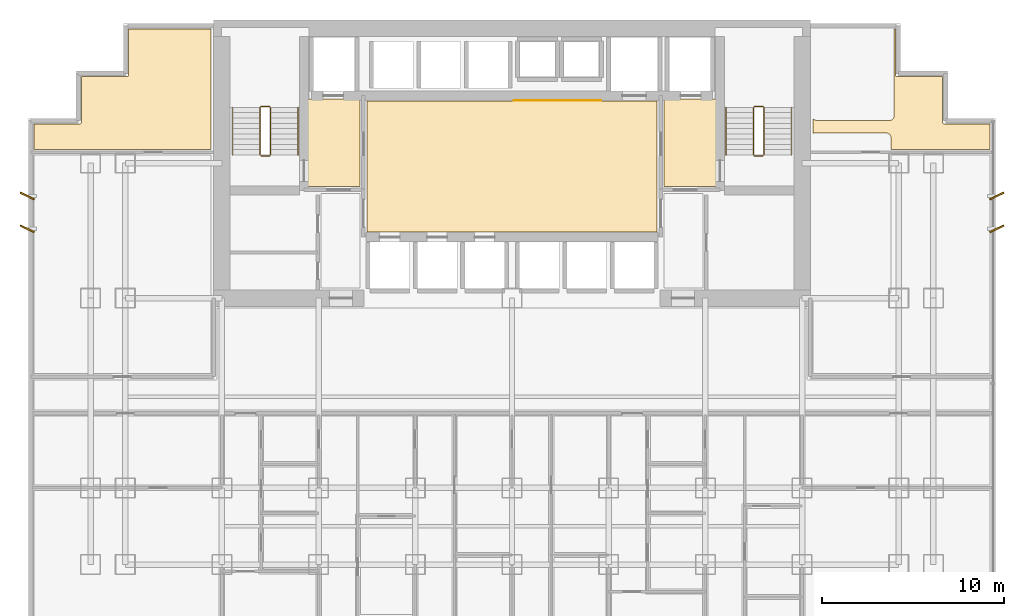
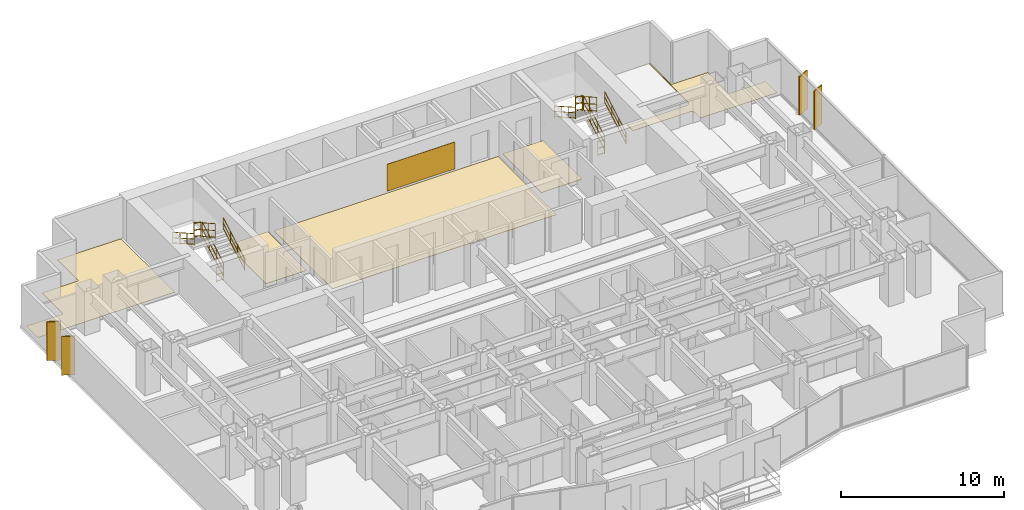
# One storey, part 12 of 12: 12 railings, 6 coverings, 4 shading devices.
"""IFC4 building model written with IfcOpenShell, lengths in metres."""

from ifc_helpers import new_model, si_unit, direction, frame, origin, origin_2d, place, context, subcontext, project, spatial, polyline, rectangle, circle, outline, extrude, source, transform, mapped, material, layer, layer_set, type_object, element, save


model = new_model("IFC4")

# Units and contexts
model_context = context("Model", 3, precision=1e-05, world=origin(), true_north=direction((0.0, 1.0)))
body_context = subcontext(model_context, "Body", "Model", "MODEL_VIEW")
ifc_project = project(units=[si_unit("LENGTHUNIT", "METRE"), si_unit("AREAUNIT", "SQUARE_METRE"), si_unit("VOLUMEUNIT", "CUBIC_METRE"), si_unit("PLANEANGLEUNIT", "RADIAN"), si_unit("MASSUNIT", "GRAM", prefix="KILO")], contexts=[model_context])

# Site, building, storey
site_placement = place(None, origin())
site = spatial("IfcSite", under=ifc_project, at=site_placement, CompositionType="ELEMENT")
building_placement = place(site_placement, origin())
building = spatial("IfcBuilding", under=site, at=building_placement, Name="Qianlan Lanfeng Residences", CompositionType="ELEMENT")
storey_placement = place(building_placement, frame((0.0, 0.0, 63.800048828125)))
storey = spatial("IfcBuildingStorey", under=building, at=storey_placement, Name="L17", CompositionType="ELEMENT", Elevation=63.800048828125)

# Coverings
ifc_material_1 = material(Name="Anodised Bronze Feature Wall Cladding")
ifc_layer_1 = layer(ifc_material_1, 0.02490234375)
ifc_layer_set_1 = layer_set([ifc_layer_1], Name="Anodised Bronze Feature Wall Cladding")
covering_type_1 = type_object("IfcCoveringType", Name="CLD-BRZ-25", PredefinedType="CLADDING", material=ifc_layer_set_1)
covering_1_placement = place(storey_placement, frame((0.0, 0.0, 0.14990234375)))
element("IfcCovering", 1, at=covering_1_placement, inside=storey, type_object=covering_type_1, Name="L17 Lift Lobby Bronze Feature Cladding", PredefinedType="CLADDING", context=body_context, shape_type="SweptSolid", body=[
    extrude(outline(polyline([(26.60009765625, 36.02490234375), (31.39990234375, 36.02490234375), (31.39990234375, 36.050048828125), (26.60009765625, 36.050048828125), (26.60009765625, 36.02490234375)])), origin(), (0.0, 0.0, 1.0), 2.02001953125),
])
ifc_material_2 = material(Name="Honed Taitung Granite Stone Flooring", Category="masonry")
ifc_layer_2 = layer(ifc_material_2, 0.030029296875)
ifc_layer_set_2 = layer_set([ifc_layer_2], Name="Honed Taitung Granite Stone Flooring")
covering_type_2 = type_object("IfcCoveringType", Name="FLR-STN-30", PredefinedType="FLOORING", material=ifc_layer_set_2)
covering_2_placement = place(storey_placement, origin())
element("IfcCovering", 2, at=covering_2_placement, inside=storey, type_object=covering_type_2, Name="L17 Firefighting Lift Lobby Floor Finish", PredefinedType="FLOORING", context=body_context, shape_type="SweptSolid", body=[
    extrude(outline(polyline([(15.2900390625, 31.320068359375), (18.179931640625, 31.320068359375), (18.179931640625, 36.110107421875), (15.2900390625, 36.110107421875), (15.2900390625, 31.320068359375)])), origin(), (0.0, 0.0, 1.0), 0.030029296875),
])
covering_3_placement = place(storey_placement, origin())
element("IfcCovering", 3, at=covering_3_placement, inside=storey, type_object=covering_type_2, Name="L17 Firefighting Lift Lobby Floor Finish", PredefinedType="FLOORING", context=body_context, shape_type="SweptSolid", body=[
    extrude(outline(polyline([(34.820068359375, 31.320068359375), (37.7099609375, 31.320068359375), (37.7099609375, 36.110107421875), (34.820068359375, 36.110107421875), (34.820068359375, 31.320068359375)])), origin(), (0.0, 0.0, 1.0), 0.030029296875),
])
covering_4_placement = place(storey_placement, origin())
element("IfcCovering", 4, at=covering_4_placement, inside=storey, type_object=covering_type_2, Name="L17 Lift Lobby Floor Finish", PredefinedType="FLOORING", context=body_context, shape_type="SweptSolid", body=[
    extrude(outline(polyline([(18.550048828125, 28.820068359375), (34.449951171875, 28.820068359375), (34.449951171875, 36.010009765625), (18.550048828125, 36.010009765625), (18.550048828125, 28.820068359375)])), origin(), (0.0, 0.0, 1.0), 0.030029296875),
])
ifc_material_3 = material(Name="Engineered Smoked Oak Timber Flooring", Category="wood")
ifc_layer_3 = layer(ifc_material_3, 0.02197265625)
ifc_layer_set_3 = layer_set([ifc_layer_3], Name="Engineered Smoked Oak Timber Flooring")
covering_type_3 = type_object("IfcCoveringType", Name="FLR-TIM-22", PredefinedType="FLOORING", material=ifc_layer_set_3)
covering_5_placement = place(storey_placement, origin())
element("IfcCovering", 5, at=covering_5_placement, inside=storey, type_object=covering_type_3, Name="L17 Resident Lounge Floor Finish", PredefinedType="FLOORING", context=body_context, shape_type="SweptSolid", body=[
    extrude(outline(polyline([(0.2900390625, 33.35009765625), (10.0, 33.35009765625), (10.0, 39.9599609375), (5.489990234375, 39.9599609375), (5.489990234375, 37.429931640625), (5.489990234375, 37.423095703125), (5.489013671875, 37.416015625), (5.487060546875, 37.409912109375), (5.485107421875, 37.403076171875), (5.48193359375, 37.39697265625), (5.47802734375, 37.39111328125), (5.47412109375, 37.385986328125), (5.468994140625, 37.381103515625), (5.464111328125, 37.3759765625), (5.458984375, 37.3720703125), (5.452880859375, 37.367919921875), (5.447021484375, 37.364990234375), (5.43994140625, 37.363037109375), (5.43408203125, 37.361083984375), (5.427001953125, 37.360107421875), (5.419921875, 37.360107421875), (2.889892578125, 37.360107421875), (2.889892578125, 34.830078125), (2.889892578125, 34.822998046875), (2.888916015625, 34.81591796875), (2.886962890625, 34.81005859375), (2.885009765625, 34.802978515625), (2.882080078125, 34.797119140625), (2.8779296875, 34.791015625), (2.8740234375, 34.785888671875), (2.868896484375, 34.781005859375), (2.864013671875, 34.77587890625), (2.85888671875, 34.77197265625), (2.85302734375, 34.76806640625), (2.846923828125, 34.764892578125), (2.840087890625, 34.762939453125), (2.833984375, 34.760986328125), (2.826904296875, 34.760009765625), (2.820068359375, 34.760009765625), (0.2900390625, 34.760009765625), (0.2900390625, 33.35009765625)])), origin(), (0.0, 0.0, 1.0), 0.02197265625),
])
covering_6_placement = place(storey_placement, origin())
element("IfcCovering", 6, at=covering_6_placement, inside=storey, type_object=covering_type_3, Name="L17 Resident Lounge Floor Finish", PredefinedType="FLOORING", context=body_context, shape_type="SweptSolid", body=[
    extrude(outline(polyline([(43.0, 34.237060546875), (43.007080078125, 34.239013671875), (43.031005859375, 34.2451171875), (43.054931640625, 34.2490234375), (43.080078125, 34.25), (47.02001953125, 34.25), (47.044921875, 34.2490234375), (47.069091796875, 34.2451171875), (47.093017578125, 34.239013671875), (47.115966796875, 34.23095703125), (47.137939453125, 34.219970703125), (47.158935546875, 34.2080078125), (47.178955078125, 34.193115234375), (47.197021484375, 34.177001953125), (47.212890625, 34.158935546875), (47.22802734375, 34.138916015625), (47.239990234375, 34.117919921875), (47.2509765625, 34.095947265625), (47.259033203125, 34.072998046875), (47.264892578125, 34.049072265625), (47.26904296875, 34.02490234375), (47.27001953125, 34.0), (47.27001953125, 33.35009765625), (52.7099609375, 33.35009765625), (52.7099609375, 34.760009765625), (50.179931640625, 34.760009765625), (50.173095703125, 34.760009765625), (50.166015625, 34.760986328125), (50.159912109375, 34.762939453125), (50.153076171875, 34.764892578125), (50.14697265625, 34.76806640625), (50.14111328125, 34.77197265625), (50.135986328125, 34.77587890625), (50.131103515625, 34.781005859375), (50.1259765625, 34.785888671875), (50.1220703125, 34.791015625), (50.117919921875, 34.797119140625), (50.114990234375, 34.802978515625), (50.113037109375, 34.81005859375), (50.111083984375, 34.81591796875), (50.110107421875, 34.822998046875), (50.110107421875, 34.830078125), (50.110107421875, 37.360107421875), (47.580078125, 37.360107421875), (47.572998046875, 37.360107421875), (47.56591796875, 37.361083984375), (47.56005859375, 37.363037109375), (47.552978515625, 37.364990234375), (47.547119140625, 37.367919921875), (47.541015625, 37.3720703125), (47.535888671875, 37.3759765625), (47.531005859375, 37.381103515625), (47.52587890625, 37.385986328125), (47.52197265625, 37.39111328125), (47.51806640625, 37.39697265625), (47.514892578125, 37.403076171875), (47.512939453125, 37.409912109375), (47.510986328125, 37.416015625), (47.510009765625, 37.423095703125), (47.510009765625, 37.429931640625), (47.510009765625, 39.9599609375), (47.449951171875, 39.9599609375), (47.449951171875, 35.199951171875), (47.448974609375, 35.175048828125), (47.445068359375, 35.15087890625), (47.43896484375, 35.126953125), (47.430908203125, 35.10400390625), (47.419921875, 35.08203125), (47.407958984375, 35.06103515625), (47.39306640625, 35.041015625), (47.376953125, 35.02294921875), (47.35888671875, 35.007080078125), (47.339111328125, 34.991943359375), (47.318115234375, 34.97998046875), (47.2958984375, 34.968994140625), (47.27294921875, 34.9609375), (47.2490234375, 34.955078125), (47.22509765625, 34.950927734375), (47.199951171875, 34.949951171875), (43.199951171875, 34.949951171875), (43.175048828125, 34.950927734375), (43.15087890625, 34.955078125), (43.126953125, 34.9609375), (43.10400390625, 34.968994140625), (43.08203125, 34.97998046875), (43.06103515625, 34.991943359375), (43.041015625, 35.007080078125), (43.02294921875, 35.02294921875), (43.007080078125, 35.041015625), (43.0, 35.050048828125), (43.0, 34.237060546875)])), origin(), (0.0, 0.0, 1.0), 0.02197265625),
])

# Railings
ifc_material_4 = material(Name="Painted Galvanised Steel Guardrail", Category="steel")
railing_type_1 = type_object("IfcRailingType", Name="GR-ST-1120", PredefinedType="GUARDRAIL", material=ifc_material_4)
railing_1_placement = place(storey_placement, frame((13.27001953125, 33.050048828125, 0.1650390625)))
element("IfcRailing", 7, at=railing_1_placement, inside=storey, type_object=railing_type_1, Name="L17 ST-1 stair guard 1", PredefinedType="GUARDRAIL", context=body_context, shape_type="SweptSolid", body=[
    extrude(circle(Radius=0.02392578125, at=origin_2d()), frame((0.0, 0.0, 0.083984375), z_axis=(0.0, 0.869172267526, 0.494509422927), x_axis=(-1.0, 0.0, 0.0)), (0.0, 0.0, 1.0), 3.002685546875),
    extrude(circle(Radius=0.02392578125, at=origin_2d()), frame((0.0, 0.0, 0.58251953125), z_axis=(0.0, 0.869172267526, 0.494509422927), x_axis=(-1.0, 0.0, 0.0)), (0.0, 0.0, 1.0), 3.002685546875),
    extrude(circle(Radius=0.02392578125, at=origin_2d()), frame((0.0, 0.0, 1.09619140625), z_axis=(0.0, 0.869172267526, 0.494509422927), x_axis=(-1.0, 0.0, 0.0)), (0.0, 0.0, 1.0), 3.002685546875),
    extrude(circle(Radius=0.02099609375, at=origin_2d()), origin(), (0.0, 0.0, 1.0), 1.072021484375),
    extrude(circle(Radius=0.02099609375, at=origin_2d()), frame((0.0, 0.869873046875, 0.494873046875)), (0.0, 0.0, 1.0), 1.072021484375),
    extrude(circle(Radius=0.02099609375, at=origin_2d()), frame((0.0, 1.739990234375, 0.989990234375)), (0.0, 0.0, 1.0), 1.072021484375),
    extrude(circle(Radius=0.02099609375, at=origin_2d()), frame((0.0, 2.60986328125, 1.48486328125)), (0.0, 0.0, 1.0), 1.072021484375),
])
railing_2_placement = place(storey_placement, frame((13.219970703125, 35.7099609375, 1.64990234375)))
element("IfcRailing", 8, at=railing_2_placement, inside=storey, type_object=railing_type_1, Name="L17 ST-1 stair guard 2", PredefinedType="GUARDRAIL", context=body_context, shape_type="SweptSolid", body=[
    extrude(circle(Radius=0.02392578125, at=origin_2d()), frame((0.0, 0.0, 0.083984375), z_axis=(-1.0, 0.0, 0.0), x_axis=(0.0, -1.0, 0.0)), (0.0, 0.0, 1.0), 0.47998046875),
    extrude(circle(Radius=0.02392578125, at=origin_2d()), frame((0.0, 0.0, 0.58251953125), z_axis=(-1.0, 0.0, 0.0), x_axis=(0.0, -1.0, 0.0)), (0.0, 0.0, 1.0), 0.47998046875),
    extrude(circle(Radius=0.02392578125, at=origin_2d()), frame((0.0, 0.0, 1.09619140625), z_axis=(-1.0, 0.0, 0.0), x_axis=(0.0, -1.0, 0.0)), (0.0, 0.0, 1.0), 0.47998046875),
    extrude(circle(Radius=0.02099609375, at=origin_2d()), origin(), (0.0, 0.0, 1.0), 1.072021484375),
    extrude(circle(Radius=0.02099609375, at=origin_2d()), frame((-0.47998046875, 0.0, 0.0)), (0.0, 0.0, 1.0), 1.072021484375),
])
railing_3_placement = place(storey_placement, frame((12.68994140625, 35.659912109375, 1.81494140625)))
element("IfcRailing", 9, at=railing_3_placement, inside=storey, type_object=railing_type_1, Name="L17 ST-1 stair guard 3", PredefinedType="GUARDRAIL", context=body_context, shape_type="SweptSolid", body=[
    extrude(circle(Radius=0.02392578125, at=origin_2d()), frame((0.0, 0.0, 0.083984375), z_axis=(0.0, -0.869137319866, 0.494570843475), x_axis=(1.0, 0.0, 0.0)), (0.0, 0.0, 1.0), 3.0029296875),
    extrude(circle(Radius=0.02392578125, at=origin_2d()), frame((0.0, 0.0, 0.58251953125), z_axis=(0.0, -0.869137319866, 0.494570843475), x_axis=(1.0, 0.0, 0.0)), (0.0, 0.0, 1.0), 3.0029296875),
    extrude(circle(Radius=0.02392578125, at=origin_2d()), frame((0.0, 0.0, 1.09619140625), z_axis=(0.0, -0.869137319866, 0.494570843475), x_axis=(1.0, 0.0, 0.0)), (0.0, 0.0, 1.0), 3.0029296875),
    extrude(circle(Radius=0.02099609375, at=origin_2d()), origin(), (0.0, 0.0, 1.0), 1.072021484375),
    extrude(circle(Radius=0.02099609375, at=origin_2d()), frame((0.0, -0.869873046875, 0.4951171875)), (0.0, 0.0, 1.0), 1.072021484375),
    extrude(circle(Radius=0.02099609375, at=origin_2d()), frame((0.0, -1.739990234375, 0.989990234375)), (0.0, 0.0, 1.0), 1.072021484375),
    extrude(circle(Radius=0.02099609375, at=origin_2d()), frame((0.0, -2.60986328125, 1.485107421875)), (0.0, 0.0, 1.0), 1.072021484375),
])
railing_4_placement = place(storey_placement, frame((13.219970703125, 33.0, 0.0)))
element("IfcRailing", 10, at=railing_4_placement, inside=storey, type_object=railing_type_1, Name="L17 ST-1 stair guard 4", PredefinedType="GUARDRAIL", context=body_context, shape_type="SweptSolid", body=[
    extrude(circle(Radius=0.02392578125, at=origin_2d()), frame((0.0, 0.0, 0.083984375), z_axis=(-1.0, 0.0, 0.0), x_axis=(0.0, -1.0, 0.0)), (0.0, 0.0, 1.0), 0.47998046875),
    extrude(circle(Radius=0.02392578125, at=origin_2d()), frame((0.0, 0.0, 0.58251953125), z_axis=(-1.0, 0.0, 0.0), x_axis=(0.0, -1.0, 0.0)), (0.0, 0.0, 1.0), 0.47998046875),
    extrude(circle(Radius=0.02392578125, at=origin_2d()), frame((0.0, 0.0, 1.09619140625), z_axis=(-1.0, 0.0, 0.0), x_axis=(0.0, -1.0, 0.0)), (0.0, 0.0, 1.0), 0.47998046875),
    extrude(circle(Radius=0.02099609375, at=origin_2d()), origin(), (0.0, 0.0, 1.0), 1.072021484375),
    extrude(circle(Radius=0.02099609375, at=origin_2d()), frame((-0.47998046875, 0.0, 0.0)), (0.0, 0.0, 1.0), 1.072021484375),
])
railing_5_placement = place(storey_placement, frame((40.31005859375, 33.050048828125, 0.1650390625)))
element("IfcRailing", 11, at=railing_5_placement, inside=storey, type_object=railing_type_1, Name="L17 ST-2 stair guard 1", PredefinedType="GUARDRAIL", context=body_context, shape_type="SweptSolid", body=[
    extrude(circle(Radius=0.02392578125, at=origin_2d()), frame((0.0, 0.0, 0.083984375), z_axis=(0.0, 0.869172267526, 0.494509422927), x_axis=(-1.0, 0.0, 0.0)), (0.0, 0.0, 1.0), 3.002685546875),
    extrude(circle(Radius=0.02392578125, at=origin_2d()), frame((0.0, 0.0, 0.58251953125), z_axis=(0.0, 0.869172267526, 0.494509422927), x_axis=(-1.0, 0.0, 0.0)), (0.0, 0.0, 1.0), 3.002685546875),
    extrude(circle(Radius=0.02392578125, at=origin_2d()), frame((0.0, 0.0, 1.09619140625), z_axis=(0.0, 0.869172267526, 0.494509422927), x_axis=(-1.0, 0.0, 0.0)), (0.0, 0.0, 1.0), 3.002685546875),
    extrude(circle(Radius=0.02099609375, at=origin_2d()), origin(), (0.0, 0.0, 1.0), 1.072021484375),
    extrude(circle(Radius=0.02099609375, at=origin_2d()), frame((0.0, 0.869873046875, 0.494873046875)), (0.0, 0.0, 1.0), 1.072021484375),
    extrude(circle(Radius=0.02099609375, at=origin_2d()), frame((0.0, 1.739990234375, 0.989990234375)), (0.0, 0.0, 1.0), 1.072021484375),
    extrude(circle(Radius=0.02099609375, at=origin_2d()), frame((0.0, 2.60986328125, 1.48486328125)), (0.0, 0.0, 1.0), 1.072021484375),
])
railing_6_placement = place(storey_placement, frame((40.260009765625, 35.7099609375, 1.64990234375)))
element("IfcRailing", 12, at=railing_6_placement, inside=storey, type_object=railing_type_1, Name="L17 ST-2 stair guard 2", PredefinedType="GUARDRAIL", context=body_context, shape_type="SweptSolid", body=[
    extrude(circle(Radius=0.02392578125, at=origin_2d()), frame((0.0, 0.0, 0.083984375), z_axis=(-1.0, 0.0, 0.0), x_axis=(0.0, -1.0, 0.0)), (0.0, 0.0, 1.0), 0.47998046875),
    extrude(circle(Radius=0.02392578125, at=origin_2d()), frame((0.0, 0.0, 0.58251953125), z_axis=(-1.0, 0.0, 0.0), x_axis=(0.0, -1.0, 0.0)), (0.0, 0.0, 1.0), 0.47998046875),
    extrude(circle(Radius=0.02392578125, at=origin_2d()), frame((0.0, 0.0, 1.09619140625), z_axis=(-1.0, 0.0, 0.0), x_axis=(0.0, -1.0, 0.0)), (0.0, 0.0, 1.0), 0.47998046875),
    extrude(circle(Radius=0.02099609375, at=origin_2d()), origin(), (0.0, 0.0, 1.0), 1.072021484375),
    extrude(circle(Radius=0.02099609375, at=origin_2d()), frame((-0.47998046875, 0.0, 0.0)), (0.0, 0.0, 1.0), 1.072021484375),
])
railing_7_placement = place(storey_placement, frame((39.72998046875, 35.659912109375, 1.81494140625)))
element("IfcRailing", 13, at=railing_7_placement, inside=storey, type_object=railing_type_1, Name="L17 ST-2 stair guard 3", PredefinedType="GUARDRAIL", context=body_context, shape_type="SweptSolid", body=[
    extrude(circle(Radius=0.02392578125, at=origin_2d()), frame((0.0, 0.0, 0.083984375), z_axis=(0.0, -0.869137319866, 0.494570843475), x_axis=(1.0, 0.0, 0.0)), (0.0, 0.0, 1.0), 3.0029296875),
    extrude(circle(Radius=0.02392578125, at=origin_2d()), frame((0.0, 0.0, 0.58251953125), z_axis=(0.0, -0.869137319866, 0.494570843475), x_axis=(1.0, 0.0, 0.0)), (0.0, 0.0, 1.0), 3.0029296875),
    extrude(circle(Radius=0.02392578125, at=origin_2d()), frame((0.0, 0.0, 1.09619140625), z_axis=(0.0, -0.869137319866, 0.494570843475), x_axis=(1.0, 0.0, 0.0)), (0.0, 0.0, 1.0), 3.0029296875),
    extrude(circle(Radius=0.02099609375, at=origin_2d()), origin(), (0.0, 0.0, 1.0), 1.072021484375),
    extrude(circle(Radius=0.02099609375, at=origin_2d()), frame((0.0, -0.869873046875, 0.4951171875)), (0.0, 0.0, 1.0), 1.072021484375),
    extrude(circle(Radius=0.02099609375, at=origin_2d()), frame((0.0, -1.739990234375, 0.989990234375)), (0.0, 0.0, 1.0), 1.072021484375),
    extrude(circle(Radius=0.02099609375, at=origin_2d()), frame((0.0, -2.60986328125, 1.485107421875)), (0.0, 0.0, 1.0), 1.072021484375),
])
railing_8_placement = place(storey_placement, frame((40.260009765625, 33.0, 0.0)))
element("IfcRailing", 14, at=railing_8_placement, inside=storey, type_object=railing_type_1, Name="L17 ST-2 stair guard 4", PredefinedType="GUARDRAIL", context=body_context, shape_type="SweptSolid", body=[
    extrude(circle(Radius=0.02392578125, at=origin_2d()), frame((0.0, 0.0, 0.083984375), z_axis=(-1.0, 0.0, 0.0), x_axis=(0.0, -1.0, 0.0)), (0.0, 0.0, 1.0), 0.47998046875),
    extrude(circle(Radius=0.02392578125, at=origin_2d()), frame((0.0, 0.0, 0.58251953125), z_axis=(-1.0, 0.0, 0.0), x_axis=(0.0, -1.0, 0.0)), (0.0, 0.0, 1.0), 0.47998046875),
    extrude(circle(Radius=0.02392578125, at=origin_2d()), frame((0.0, 0.0, 1.09619140625), z_axis=(-1.0, 0.0, 0.0), x_axis=(0.0, -1.0, 0.0)), (0.0, 0.0, 1.0), 0.47998046875),
    extrude(circle(Radius=0.02099609375, at=origin_2d()), origin(), (0.0, 0.0, 1.0), 1.072021484375),
    extrude(circle(Radius=0.02099609375, at=origin_2d()), frame((-0.47998046875, 0.0, 0.0)), (0.0, 0.0, 1.0), 1.072021484375),
])
ifc_material_5 = material(Name="Brushed Stainless Steel Handrail", Category="steel")
railing_type_2 = type_object("IfcRailingType", Name="HR-ST-920", PredefinedType="HANDRAIL", material=ifc_material_5)
railing_9_placement = place(storey_placement, frame((14.77001953125, 33.050048828125, 0.1650390625)))
element("IfcRailing", 15, at=railing_9_placement, inside=storey, type_object=railing_type_2, Name="L17 ST-1 stair handrail 1", PredefinedType="HANDRAIL", context=body_context, shape_type="SweptSolid", body=[
    extrude(circle(Radius=0.02392578125, at=origin_2d()), frame((0.0, 0.0, 0.083984375), z_axis=(0.0, 0.869172267526, 0.494509422927), x_axis=(-1.0, 0.0, 0.0)), (0.0, 0.0, 1.0), 3.002685546875),
    extrude(circle(Radius=0.02392578125, at=origin_2d()), frame((0.0, 0.0, 0.468017578125), z_axis=(0.0, 0.869172267526, 0.494509422927), x_axis=(-1.0, 0.0, 0.0)), (0.0, 0.0, 1.0), 3.002685546875),
    extrude(circle(Radius=0.02392578125, at=origin_2d()), frame((0.0, 0.0, 0.8759765625), z_axis=(0.0, 0.869172267526, 0.494509422927), x_axis=(-1.0, 0.0, 0.0)), (0.0, 0.0, 1.0), 3.002685546875),
    extrude(circle(Radius=0.02099609375, at=origin_2d()), origin(), (0.0, 0.0, 1.0), 0.851806640625),
    extrude(circle(Radius=0.02099609375, at=origin_2d()), frame((0.0, 0.869873046875, 0.494873046875)), (0.0, 0.0, 1.0), 0.851806640625),
    extrude(circle(Radius=0.02099609375, at=origin_2d()), frame((0.0, 1.739990234375, 0.989990234375)), (0.0, 0.0, 1.0), 0.851806640625),
    extrude(circle(Radius=0.02099609375, at=origin_2d()), frame((0.0, 2.60986328125, 1.48486328125)), (0.0, 0.0, 1.0), 0.851806640625),
])
railing_10_placement = place(storey_placement, frame((11.18994140625, 35.659912109375, 1.81494140625)))
element("IfcRailing", 16, at=railing_10_placement, inside=storey, type_object=railing_type_2, Name="L17 ST-1 stair handrail 2", PredefinedType="HANDRAIL", context=body_context, shape_type="SweptSolid", body=[
    extrude(circle(Radius=0.02392578125, at=origin_2d()), frame((0.0, 0.0, 0.083984375), z_axis=(0.0, -0.869137319866, 0.494570843475), x_axis=(1.0, 0.0, 0.0)), (0.0, 0.0, 1.0), 3.0029296875),
    extrude(circle(Radius=0.02392578125, at=origin_2d()), frame((0.0, 0.0, 0.468017578125), z_axis=(0.0, -0.869137319866, 0.494570843475), x_axis=(1.0, 0.0, 0.0)), (0.0, 0.0, 1.0), 3.0029296875),
    extrude(circle(Radius=0.02392578125, at=origin_2d()), frame((0.0, 0.0, 0.8759765625), z_axis=(0.0, -0.869137319866, 0.494570843475), x_axis=(1.0, 0.0, 0.0)), (0.0, 0.0, 1.0), 3.0029296875),
    extrude(circle(Radius=0.02099609375, at=origin_2d()), origin(), (0.0, 0.0, 1.0), 0.851806640625),
    extrude(circle(Radius=0.02099609375, at=origin_2d()), frame((0.0, -0.869873046875, 0.4951171875)), (0.0, 0.0, 1.0), 0.851806640625),
    extrude(circle(Radius=0.02099609375, at=origin_2d()), frame((0.0, -1.739990234375, 0.989990234375)), (0.0, 0.0, 1.0), 0.851806640625),
    extrude(circle(Radius=0.02099609375, at=origin_2d()), frame((0.0, -2.60986328125, 1.485107421875)), (0.0, 0.0, 1.0), 0.851806640625),
])
railing_11_placement = place(storey_placement, frame((41.81005859375, 33.050048828125, 0.1650390625)))
element("IfcRailing", 17, at=railing_11_placement, inside=storey, type_object=railing_type_2, Name="L17 ST-2 stair handrail 1", PredefinedType="HANDRAIL", context=body_context, shape_type="SweptSolid", body=[
    extrude(circle(Radius=0.02392578125, at=origin_2d()), frame((0.0, 0.0, 0.083984375), z_axis=(0.0, 0.869172267526, 0.494509422927), x_axis=(-1.0, 0.0, 0.0)), (0.0, 0.0, 1.0), 3.002685546875),
    extrude(circle(Radius=0.02392578125, at=origin_2d()), frame((0.0, 0.0, 0.468017578125), z_axis=(0.0, 0.869172267526, 0.494509422927), x_axis=(-1.0, 0.0, 0.0)), (0.0, 0.0, 1.0), 3.002685546875),
    extrude(circle(Radius=0.02392578125, at=origin_2d()), frame((0.0, 0.0, 0.8759765625), z_axis=(0.0, 0.869172267526, 0.494509422927), x_axis=(-1.0, 0.0, 0.0)), (0.0, 0.0, 1.0), 3.002685546875),
    extrude(circle(Radius=0.02099609375, at=origin_2d()), origin(), (0.0, 0.0, 1.0), 0.851806640625),
    extrude(circle(Radius=0.02099609375, at=origin_2d()), frame((0.0, 0.869873046875, 0.494873046875)), (0.0, 0.0, 1.0), 0.851806640625),
    extrude(circle(Radius=0.02099609375, at=origin_2d()), frame((0.0, 1.739990234375, 0.989990234375)), (0.0, 0.0, 1.0), 0.851806640625),
    extrude(circle(Radius=0.02099609375, at=origin_2d()), frame((0.0, 2.60986328125, 1.48486328125)), (0.0, 0.0, 1.0), 0.851806640625),
])
railing_12_placement = place(storey_placement, frame((38.22998046875, 35.659912109375, 1.81494140625)))
element("IfcRailing", 18, at=railing_12_placement, inside=storey, type_object=railing_type_2, Name="L17 ST-2 stair handrail 2", PredefinedType="HANDRAIL", context=body_context, shape_type="SweptSolid", body=[
    extrude(circle(Radius=0.02392578125, at=origin_2d()), frame((0.0, 0.0, 0.083984375), z_axis=(0.0, -0.869137319866, 0.494570843475), x_axis=(1.0, 0.0, 0.0)), (0.0, 0.0, 1.0), 3.0029296875),
    extrude(circle(Radius=0.02392578125, at=origin_2d()), frame((0.0, 0.0, 0.468017578125), z_axis=(0.0, -0.869137319866, 0.494570843475), x_axis=(1.0, 0.0, 0.0)), (0.0, 0.0, 1.0), 3.0029296875),
    extrude(circle(Radius=0.02392578125, at=origin_2d()), frame((0.0, 0.0, 0.8759765625), z_axis=(0.0, -0.869137319866, 0.494570843475), x_axis=(1.0, 0.0, 0.0)), (0.0, 0.0, 1.0), 3.0029296875),
    extrude(circle(Radius=0.02099609375, at=origin_2d()), origin(), (0.0, 0.0, 1.0), 0.851806640625),
    extrude(circle(Radius=0.02099609375, at=origin_2d()), frame((0.0, -0.869873046875, 0.4951171875)), (0.0, 0.0, 1.0), 0.851806640625),
    extrude(circle(Radius=0.02099609375, at=origin_2d()), frame((0.0, -1.739990234375, 0.989990234375)), (0.0, 0.0, 1.0), 0.851806640625),
    extrude(circle(Radius=0.02099609375, at=origin_2d()), frame((0.0, -2.60986328125, 1.485107421875)), (0.0, 0.0, 1.0), 0.851806640625),
])

# Shading devices
ifc_material_6 = material(Name="Anodised Bronze Aluminium Solar Fin", Category="aluminium")
shading_device_type = type_object("IfcShadingDeviceType", Name="FIN-BRZ-850", PredefinedType="SHUTTER", material=ifc_material_6)
shared_shape = source(origin(), body_context, "Body", "SweptSolid", [
    extrude(rectangle(XDim=0.85009765625, YDim=0.080078125, at=origin_2d()), origin(), (0.0, 0.0, 1.0), 2.89990234375),
])
for number, where, z_axis, x_axis, name in (
    (19, (-0.070068359375, 29.0, 0.0), (0.0, 0.0, 1.0), (0.898794046299, -0.438371146789, 0.0), "L17 Raked Bronze Solar Fin W1"),
    (20, (-0.070068359375, 30.800048828125, 0.0), (0.0, 0.0, 1.0), (0.898794046299, -0.438371146789, 0.0), "L17 Raked Bronze Solar Fin W2"),
    (21, (53.070068359375, 29.0, 0.0), (0.0, 0.0, 1.0), (0.898794046299, 0.438371146789, 0.0), "L17 Raked Bronze Solar Fin E1"),
    (22, (53.070068359375, 30.800048828125, 0.0), (0.0, 0.0, 1.0), (0.898794046299, 0.438371146789, 0.0), "L17 Raked Bronze Solar Fin E2"),
):
    element("IfcShadingDevice", number, at=place(storey_placement, frame(where, z_axis=z_axis, x_axis=x_axis)), inside=storey, type_object=shading_device_type, Name=name, PredefinedType="SHUTTER", context=body_context, shape_type="MappedRepresentation", body=[
        mapped(shared_shape, transform((0.0, 0.0, 0.0), scale=1.0)),
    ])

save(model, "model.ifc")
